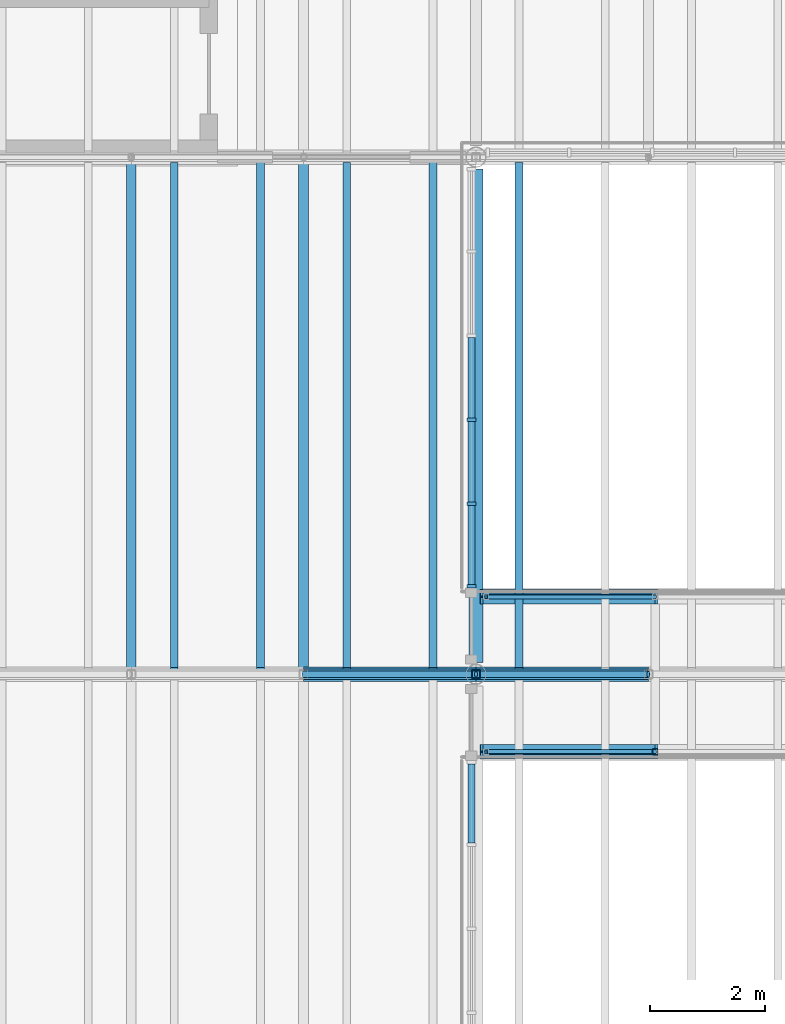
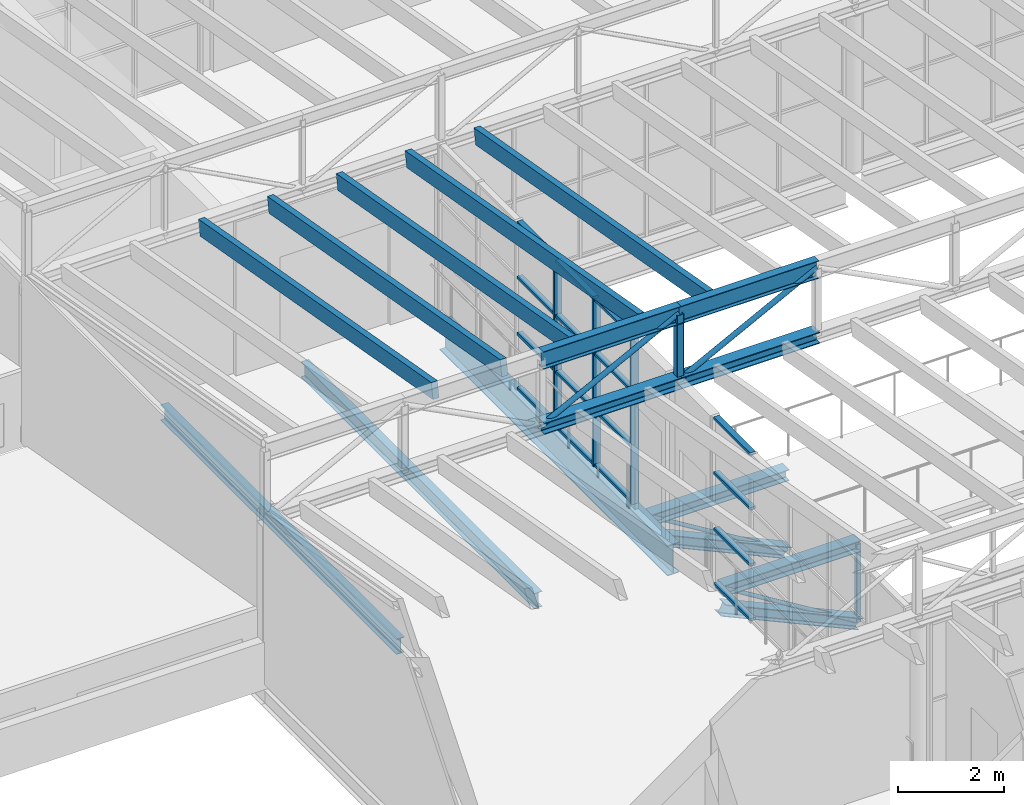
# One storey, part 12 of 44: 38 members, 3 beams, 2 elements without a shape of their own.
"""IFC4 building model written with IfcOpenShell, lengths in metres."""

from ifc_helpers import new_model, si_unit, direction, frame, origin, origin_2d, place, context, subcontext, project, spatial, rectangle, hollow_rectangle, hollow_circle, i_section, extrude, material, layer, layer_set, material_profile, profile_set, type_object, element, aggregate, save


model = new_model("IFC4")

# Units and contexts
model_context = context("Model", 3, precision=1e-05, world=origin(), true_north=direction((0.0, 1.0)))
body_context = subcontext(model_context, "Body", "Model", "MODEL_VIEW")
ifc_project = project(units=[si_unit("LENGTHUNIT", "METRE"), si_unit("AREAUNIT", "SQUARE_METRE"), si_unit("VOLUMEUNIT", "CUBIC_METRE"), si_unit("PLANEANGLEUNIT", "RADIAN"), si_unit("MASSUNIT", "GRAM", prefix="KILO")], contexts=[model_context])

# Site, building, storey
site_placement = place(None, origin())
site = spatial("IfcSite", under=ifc_project, at=site_placement, CompositionType="ELEMENT")
building_placement = place(site_placement, origin())
building = spatial("IfcBuilding", under=site, at=building_placement, Name="Halyard Row Museum", CompositionType="ELEMENT")
storey_placement = place(building_placement, frame((0.0, 0.0, 21.199951171875)))
storey = spatial("IfcBuildingStorey", under=building, at=storey_placement, Name="L04", CompositionType="ELEMENT", Elevation=21.199951171875)

# Beam
ifc_material_1 = material(Name="Steel Grade 300", Category="steel")
ifc_material_profile_1 = material_profile(ifc_material_1, i_section(OverallWidth=0.25, OverallDepth=0.699951171875, WebThickness=0.010009765625, FlangeThickness=0.02001953125, at=origin_2d()), Name="700WB130")
ifc_profile_set_1 = profile_set([ifc_material_profile_1], Name="Steel Grade 300")
beam_type_1 = type_object("IfcBeamType", Name="Bearing beam 700WB130", PredefinedType="BEAM", material=ifc_profile_set_1)
beam_1_placement = place(storey_placement, frame((81.0, 18.203125, -0.514892578125), z_axis=(0.0, 1.0, 0.0), x_axis=(-1.0, 0.0, 0.0)))
element("IfcBeam", 1, at=beam_1_placement, inside=storey, type_object=beam_type_1, Name="Beam L04-023", PredefinedType="BEAM", context=body_context, shape_type="SweptSolid", body=[
    extrude(i_section(OverallWidth=0.25, OverallDepth=0.699951171875, WebThickness=0.010009765625, FlangeThickness=0.02001953125, at=origin_2d()), origin(), (0.0, 0.0, 1.0), 8.59375),
])

# Curtain wall, members
ifc_material_2 = material(Name="Fire-resisting laminated glazing", Category="glass")
ifc_layer = layer(ifc_material_2, 0.159912109375)
ifc_layer_set = layer_set([ifc_layer], Name="Fire-resisting laminated glazing")
curtain_wall_type = type_object("IfcCurtainWallType", Name="Curtain wall atrium screen 160 deep", PredefinedType="NOTDEFINED", material=ifc_layer_set)
curtain_wall_1_placement = place(storey_placement, origin())
curtain_wall_1 = element("IfcCurtainWall", 2, at=curtain_wall_1_placement, inside=storey, type_object=curtain_wall_type, Name="Curtain wall CW108", PredefinedType="NOTDEFINED")
ifc_material_3 = material(Name="Powder-coated aluminium section", Category="aluminium")
ifc_material_profile_2 = material_profile(ifc_material_3, rectangle(XDim=0.159912109375, YDim=0.06005859375, at=origin_2d()), Name="160x60 mullion")
ifc_profile_set_2 = profile_set([ifc_material_profile_2], Name="Powder-coated aluminium section")
member_type_1 = type_object("IfcMemberType", Name="Curtain wall mullion CM5 60 x 160", PredefinedType="MULLION", material=ifc_profile_set_2)
member_1_placement = place(storey_placement, frame((80.919921875, 22.428955078125, 0.0), z_axis=(0.0, 0.0, 1.0), x_axis=(1.0, 0.0, 0.0)))
member_1 = element("IfcMember", 3, at=member_1_placement, type_object=member_type_1, Name="CW108 mullion 4", PredefinedType="MULLION", context=body_context, shape_type="SweptSolid", body=[
    extrude(rectangle(XDim=0.159912109375, YDim=0.06005859375, at=origin_2d()), origin(), (0.0, 0.0, 1.0), 3.878173828125),
])
member_2_placement = place(storey_placement, frame((80.919921875, 20.96435546875, 0.0), z_axis=(0.0, 0.0, 1.0), x_axis=(1.0, 0.0, 0.0)))
member_2 = element("IfcMember", 4, at=member_2_placement, type_object=member_type_1, Name="CW108 mullion 5", PredefinedType="MULLION", context=body_context, shape_type="SweptSolid", body=[
    extrude(rectangle(XDim=0.159912109375, YDim=0.06005859375, at=origin_2d()), origin(), (0.0, 0.0, 1.0), 3.878173828125),
])
member_3_placement = place(storey_placement, frame((80.919921875, 19.530029296875, 0.0), z_axis=(0.0, 0.0, 1.0), x_axis=(1.0, 0.0, 0.0)))
member_3 = element("IfcMember", 5, at=member_3_placement, type_object=member_type_1, Name="CW108 mullion 6", PredefinedType="MULLION", context=body_context, shape_type="SweptSolid", body=[
    extrude(rectangle(XDim=0.159912109375, YDim=0.06005859375, at=origin_2d()), origin(), (0.0, 0.0, 1.0), 3.878173828125),
])
ifc_material_4 = material(Name="Powder-coated aluminium section", Category="aluminium")
ifc_material_profile_3 = material_profile(ifc_material_4, rectangle(XDim=0.1201171875, YDim=0.06005859375, at=origin_2d()), Name="120x60 transom")
ifc_profile_set_3 = profile_set([ifc_material_profile_3], Name="Powder-coated aluminium section")
member_type_2 = type_object("IfcMemberType", Name="Curtain wall transom CT5 60 x 120", PredefinedType="USERDEFINED", material=ifc_profile_set_3)
member_4_placement = place(storey_placement, frame((80.919921875, 23.86328125, 0.030029296875), z_axis=(0.0, -1.0, 0.0), x_axis=(1.0, 0.0, 0.0)))
member_4 = element("IfcMember", 6, at=member_4_placement, type_object=member_type_2, Name="CW108 transom 3.1", ObjectType="TRANSOM", PredefinedType="USERDEFINED", context=body_context, shape_type="SweptSolid", body=[
    extrude(rectangle(XDim=0.1201171875, YDim=0.06005859375, at=origin_2d()), origin(), (0.0, 0.0, 1.0), 1.404296875),
])
member_5_placement = place(storey_placement, frame((80.919921875, 23.86328125, 1.292724609375), z_axis=(0.0, -1.0, 0.0), x_axis=(1.0, 0.0, 0.0)))
member_5 = element("IfcMember", 7, at=member_5_placement, type_object=member_type_2, Name="CW108 transom 3.2", ObjectType="TRANSOM", PredefinedType="USERDEFINED", context=body_context, shape_type="SweptSolid", body=[
    extrude(rectangle(XDim=0.1201171875, YDim=0.06005859375, at=origin_2d()), origin(), (0.0, 0.0, 1.0), 1.404296875),
])
member_6_placement = place(storey_placement, frame((80.919921875, 23.86328125, 2.58544921875), z_axis=(0.0, -1.0, 0.0), x_axis=(1.0, 0.0, 0.0)))
member_6 = element("IfcMember", 8, at=member_6_placement, type_object=member_type_2, Name="CW108 transom 3.3", ObjectType="TRANSOM", PredefinedType="USERDEFINED", context=body_context, shape_type="SweptSolid", body=[
    extrude(rectangle(XDim=0.1201171875, YDim=0.06005859375, at=origin_2d()), origin(), (0.0, 0.0, 1.0), 1.404296875),
])
member_7_placement = place(storey_placement, frame((80.919921875, 23.86328125, 3.84814453125), z_axis=(0.0, -1.0, 0.0), x_axis=(1.0, 0.0, 0.0)))
member_7 = element("IfcMember", 9, at=member_7_placement, type_object=member_type_2, Name="CW108 transom 3.4", ObjectType="TRANSOM", PredefinedType="USERDEFINED", context=body_context, shape_type="SweptSolid", body=[
    extrude(rectangle(XDim=0.1201171875, YDim=0.06005859375, at=origin_2d()), origin(), (0.0, 0.0, 1.0), 1.404296875),
])
member_8_placement = place(storey_placement, frame((80.919921875, 22.39892578125, 0.030029296875), z_axis=(0.0, -1.0, 0.0), x_axis=(1.0, 0.0, 0.0)))
member_8 = element("IfcMember", 10, at=member_8_placement, type_object=member_type_2, Name="CW108 transom 4.1", ObjectType="TRANSOM", PredefinedType="USERDEFINED", context=body_context, shape_type="SweptSolid", body=[
    extrude(rectangle(XDim=0.1201171875, YDim=0.06005859375, at=origin_2d()), origin(), (0.0, 0.0, 1.0), 1.404541015625),
])
member_9_placement = place(storey_placement, frame((80.919921875, 22.39892578125, 1.292724609375), z_axis=(0.0, -1.0, 0.0), x_axis=(1.0, 0.0, 0.0)))
member_9 = element("IfcMember", 11, at=member_9_placement, type_object=member_type_2, Name="CW108 transom 4.2", ObjectType="TRANSOM", PredefinedType="USERDEFINED", context=body_context, shape_type="SweptSolid", body=[
    extrude(rectangle(XDim=0.1201171875, YDim=0.06005859375, at=origin_2d()), origin(), (0.0, 0.0, 1.0), 1.404541015625),
])
member_10_placement = place(storey_placement, frame((80.919921875, 22.39892578125, 2.58544921875), z_axis=(0.0, -1.0, 0.0), x_axis=(1.0, 0.0, 0.0)))
member_10 = element("IfcMember", 12, at=member_10_placement, type_object=member_type_2, Name="CW108 transom 4.3", ObjectType="TRANSOM", PredefinedType="USERDEFINED", context=body_context, shape_type="SweptSolid", body=[
    extrude(rectangle(XDim=0.1201171875, YDim=0.06005859375, at=origin_2d()), origin(), (0.0, 0.0, 1.0), 1.404541015625),
])
member_11_placement = place(storey_placement, frame((80.919921875, 22.39892578125, 3.84814453125), z_axis=(0.0, -1.0, 0.0), x_axis=(1.0, 0.0, 0.0)))
member_11 = element("IfcMember", 13, at=member_11_placement, type_object=member_type_2, Name="CW108 transom 4.4", ObjectType="TRANSOM", PredefinedType="USERDEFINED", context=body_context, shape_type="SweptSolid", body=[
    extrude(rectangle(XDim=0.1201171875, YDim=0.06005859375, at=origin_2d()), origin(), (0.0, 0.0, 1.0), 1.404541015625),
])
member_12_placement = place(storey_placement, frame((80.919921875, 20.934326171875, 0.030029296875), z_axis=(0.0, -1.0, 0.0), x_axis=(1.0, 0.0, 0.0)))
member_12 = element("IfcMember", 14, at=member_12_placement, type_object=member_type_2, Name="CW108 transom 5.1", ObjectType="TRANSOM", PredefinedType="USERDEFINED", context=body_context, shape_type="SweptSolid", body=[
    extrude(rectangle(XDim=0.1201171875, YDim=0.06005859375, at=origin_2d()), origin(), (0.0, 0.0, 1.0), 1.374267578125),
])
member_13_placement = place(storey_placement, frame((80.919921875, 20.934326171875, 1.292724609375), z_axis=(0.0, -1.0, 0.0), x_axis=(1.0, 0.0, 0.0)))
member_13 = element("IfcMember", 15, at=member_13_placement, type_object=member_type_2, Name="CW108 transom 5.2", ObjectType="TRANSOM", PredefinedType="USERDEFINED", context=body_context, shape_type="SweptSolid", body=[
    extrude(rectangle(XDim=0.1201171875, YDim=0.06005859375, at=origin_2d()), origin(), (0.0, 0.0, 1.0), 1.374267578125),
])
member_14_placement = place(storey_placement, frame((80.919921875, 20.934326171875, 2.58544921875), z_axis=(0.0, -1.0, 0.0), x_axis=(1.0, 0.0, 0.0)))
member_14 = element("IfcMember", 16, at=member_14_placement, type_object=member_type_2, Name="CW108 transom 5.3", ObjectType="TRANSOM", PredefinedType="USERDEFINED", context=body_context, shape_type="SweptSolid", body=[
    extrude(rectangle(XDim=0.1201171875, YDim=0.06005859375, at=origin_2d()), origin(), (0.0, 0.0, 1.0), 1.374267578125),
])
member_15_placement = place(storey_placement, frame((80.919921875, 20.934326171875, 3.84814453125), z_axis=(0.0, -1.0, 0.0), x_axis=(1.0, 0.0, 0.0)))
member_15 = element("IfcMember", 17, at=member_15_placement, type_object=member_type_2, Name="CW108 transom 5.4", ObjectType="TRANSOM", PredefinedType="USERDEFINED", context=body_context, shape_type="SweptSolid", body=[
    extrude(rectangle(XDim=0.1201171875, YDim=0.06005859375, at=origin_2d()), origin(), (0.0, 0.0, 1.0), 1.374267578125),
])
aggregate(curtain_wall_1, [member_1, member_2, member_3, member_4, member_5, member_6, member_7, member_8, member_9, member_10, member_11, member_12, member_13, member_14, member_15])

curtain_wall_2_placement = place(storey_placement, origin())
curtain_wall_2 = element("IfcCurtainWall", 18, at=curtain_wall_2_placement, inside=storey, type_object=curtain_wall_type, Name="Curtain wall CW109", PredefinedType="NOTDEFINED")
member_16_placement = place(storey_placement, frame((80.919921875, 16.43994140625, 0.030029296875), z_axis=(0.0, -1.0, 0.0), x_axis=(1.0, 0.0, 0.0)))
member_16 = element("IfcMember", 19, at=member_16_placement, type_object=member_type_2, Name="CW109 transom 1.1", ObjectType="TRANSOM", PredefinedType="USERDEFINED", context=body_context, shape_type="SweptSolid", body=[
    extrude(rectangle(XDim=0.1201171875, YDim=0.06005859375, at=origin_2d()), origin(), (0.0, 0.0, 1.0), 1.374267578125),
])
member_17_placement = place(storey_placement, frame((80.919921875, 16.43994140625, 1.292724609375), z_axis=(0.0, -1.0, 0.0), x_axis=(1.0, 0.0, 0.0)))
member_17 = element("IfcMember", 20, at=member_17_placement, type_object=member_type_2, Name="CW109 transom 1.2", ObjectType="TRANSOM", PredefinedType="USERDEFINED", context=body_context, shape_type="SweptSolid", body=[
    extrude(rectangle(XDim=0.1201171875, YDim=0.06005859375, at=origin_2d()), origin(), (0.0, 0.0, 1.0), 1.374267578125),
])
member_18_placement = place(storey_placement, frame((80.919921875, 16.43994140625, 2.58544921875), z_axis=(0.0, -1.0, 0.0), x_axis=(1.0, 0.0, 0.0)))
member_18 = element("IfcMember", 21, at=member_18_placement, type_object=member_type_2, Name="CW109 transom 1.3", ObjectType="TRANSOM", PredefinedType="USERDEFINED", context=body_context, shape_type="SweptSolid", body=[
    extrude(rectangle(XDim=0.1201171875, YDim=0.06005859375, at=origin_2d()), origin(), (0.0, 0.0, 1.0), 1.374267578125),
])
member_19_placement = place(storey_placement, frame((80.919921875, 16.43994140625, 3.84814453125), z_axis=(0.0, -1.0, 0.0), x_axis=(1.0, 0.0, 0.0)))
member_19 = element("IfcMember", 22, at=member_19_placement, type_object=member_type_2, Name="CW109 transom 1.4", ObjectType="TRANSOM", PredefinedType="USERDEFINED", context=body_context, shape_type="SweptSolid", body=[
    extrude(rectangle(XDim=0.1201171875, YDim=0.06005859375, at=origin_2d()), origin(), (0.0, 0.0, 1.0), 1.374267578125),
])
aggregate(curtain_wall_2, [member_16, member_17, member_18, member_19])

# Members
ifc_material_5 = material(Name="Glulam GL12 radiata pine", Category="wood")
ifc_material_profile_4 = material_profile(ifc_material_5, rectangle(XDim=0.135009765625, YDim=0.360107421875, at=origin_2d()), Name="GL12 135x360")
ifc_profile_set_4 = profile_set([ifc_material_profile_4], Name="Glulam GL12 radiata pine")
member_type_3 = type_object("IfcMemberType", Name="Rafter GL12 135x360", PredefinedType="RAFTER", material=ifc_profile_set_4)
for number, where, z_axis, x_axis, name in (
    (23, (75.75, 18.089111328125, 5.281494140625), (0.0, 0.98455904933, -0.175052787419), (-1.0, 0.0, 0.0), "Rafter V2-T3a.3"),
    (24, (77.25, 18.089111328125, 5.281494140625), (0.0, 0.98455904933, -0.175052787419), (-1.0, 0.0, 0.0), "Rafter V2-T3a.4"),
    (25, (78.75, 18.089111328125, 5.281494140625), (0.0, 0.98455904933, -0.175052787419), (-1.0, 0.0, 0.0), "Rafter V2-T3a.5"),
    (26, (80.25, 18.089111328125, 5.281494140625), (0.0, 0.98455904933, -0.175052787419), (-1.0, 0.0, 0.0), "Rafter V2-T3a.6"),
    (27, (81.75, 18.089111328125, 5.281494140625), (0.0, 0.98455904933, -0.175052787419), (-1.0, 0.0, 0.0), "Rafter V2-T3b.1"),
):
    element("IfcMember", number, at=place(storey_placement, frame(where, z_axis=z_axis, x_axis=x_axis)), inside=storey, type_object=member_type_3, Name=name, PredefinedType="RAFTER", context=body_context, shape_type="SweptSolid", body=[
        extrude(rectangle(XDim=0.135009765625, YDim=0.360107421875, at=origin_2d()), origin(), (0.0, 0.0, 1.0), 8.921630859375),
    ])

# Beams
ifc_material_6 = material(Name="Steel Grade 300", Category="steel")
ifc_material_profile_5 = material_profile(ifc_material_6, i_section(OverallWidth=0.1708984375, OverallDepth=0.355712890625, WebThickness=0.00732421875, FlangeThickness=0.011474609375, FilletRadius=0.011474609375, at=origin_2d()), Name="360UB50.7")
ifc_profile_set_5 = profile_set([ifc_material_profile_5], Name="Steel Grade 300")
beam_type_2 = type_object("IfcBeamType", Name="Secondary beam 360UB50.7", PredefinedType="BEAM", material=ifc_profile_set_5)
beam_2_placement = place(storey_placement, frame((75.0, 18.095458984375, -0.3427734375), z_axis=(0.0, 1.0, 0.0), x_axis=(-1.0, 0.0, 0.0)))
element("IfcBeam", 28, at=beam_2_placement, inside=storey, type_object=beam_type_2, Name="Beam L04-043", PredefinedType="BEAM", context=body_context, shape_type="SweptSolid", body=[
    extrude(i_section(OverallWidth=0.1708984375, OverallDepth=0.355712890625, WebThickness=0.00732421875, FlangeThickness=0.011474609375, FilletRadius=0.011474609375, at=origin_2d()), origin(), (0.0, 0.0, 1.0), 8.904541015625),
])
beam_3_placement = place(storey_placement, frame((78.0, 18.095458984375, -0.3427734375), z_axis=(0.0, 1.0, 0.0), x_axis=(-1.0, 0.0, 0.0)))
element("IfcBeam", 29, at=beam_3_placement, inside=storey, type_object=beam_type_2, Name="Beam L04-044", PredefinedType="BEAM", context=body_context, shape_type="SweptSolid", body=[
    extrude(i_section(OverallWidth=0.1708984375, OverallDepth=0.355712890625, WebThickness=0.00732421875, FlangeThickness=0.011474609375, FilletRadius=0.011474609375, at=origin_2d()), origin(), (0.0, 0.0, 1.0), 8.80908203125),
])

# Members
ifc_material_7 = material(Name="Steel Grade 300", Category="steel")
ifc_material_profile_6 = material_profile(ifc_material_7, i_section(OverallWidth=0.25390625, OverallDepth=0.25390625, WebThickness=0.008544921875, FlangeThickness=0.01416015625, FilletRadius=0.013916015625, at=origin_2d()), Name="250UC72.9")
ifc_profile_set_6 = profile_set([ifc_material_profile_6], Name="Steel Grade 300")
member_type_4 = type_object("IfcMemberType", Name="Truss chord 250UC72.9 bottom", PredefinedType="CHORD", material=ifc_profile_set_6)
for number, where, z_axis, x_axis, name in (
    (30, (81.125, 16.64990234375, -0.72802734375), (0.909918381768, 0.0, -0.414787341322), (0.0, 1.0, 0.0), "BT2S bottom chord 1"),
    (31, (81.125, 19.35009765625, -0.72802734375), (0.909918381768, 0.0, -0.414787341322), (0.0, 1.0, 0.0), "BT2N bottom chord 1"),
):
    element("IfcMember", number, at=place(storey_placement, frame(where, z_axis=z_axis, x_axis=x_axis)), inside=storey, type_object=member_type_4, Name=name, PredefinedType="CHORD", context=body_context, shape_type="SweptSolid", body=[
        extrude(i_section(OverallWidth=0.25390625, OverallDepth=0.25390625, WebThickness=0.008544921875, FlangeThickness=0.01416015625, FilletRadius=0.013916015625, at=origin_2d()), origin(), (0.0, 0.0, 1.0), 3.287841796875),
    ])
ifc_material_8 = material(Name="Steel Grade 300", Category="steel")
ifc_material_profile_7 = material_profile(ifc_material_8, i_section(OverallWidth=0.25390625, OverallDepth=0.25390625, WebThickness=0.008544921875, FlangeThickness=0.01416015625, FilletRadius=0.013916015625, at=origin_2d()), Name="250UC72.9")
ifc_profile_set_7 = profile_set([ifc_material_profile_7], Name="Steel Grade 300")
member_type_5 = type_object("IfcMemberType", Name="Truss chord 250UC72.9 top", PredefinedType="CHORD", material=ifc_profile_set_7)
for number, where, z_axis, x_axis, name in (
    (32, (81.125, 16.64990234375, -0.291748046875), (1.0, 0.0, 0.0), (0.0, 1.0, 0.0), "BT2S top chord 1"),
    (33, (81.125, 19.35009765625, -0.291748046875), (1.0, 0.0, 0.0), (0.0, 1.0, 0.0), "BT2N top chord 1"),
):
    element("IfcMember", number, at=place(storey_placement, frame(where, z_axis=z_axis, x_axis=x_axis)), inside=storey, type_object=member_type_5, Name=name, PredefinedType="CHORD", context=body_context, shape_type="SweptSolid", body=[
        extrude(i_section(OverallWidth=0.25390625, OverallDepth=0.25390625, WebThickness=0.008544921875, FlangeThickness=0.01416015625, FilletRadius=0.013916015625, at=origin_2d()), origin(), (0.0, 0.0, 1.0), 2.99169921875),
    ])
ifc_material_9 = material(Name="Steel Grade C250L0", Category="steel")
ifc_material_profile_8 = material_profile(ifc_material_9, hollow_circle(Radius=0.04443359375, WallThickness=0.0048828125, at=origin_2d()), Name="88.9x5.0CHS")
ifc_profile_set_8 = profile_set([ifc_material_profile_8], Name="Steel Grade C250L0")
member_type_6 = type_object("IfcMemberType", Name="Truss diagonal 88.9x5.0CHS", PredefinedType="BRACE", material=ifc_profile_set_8)
for number, where, z_axis, x_axis, name in (
    (34, (81.175048828125, 16.64990234375, -0.291748046875), (0.852975450501, 0.0, -0.521951032994), (0.0, 1.0, 0.0), "BT2S diagonal 1"),
    (35, (81.175048828125, 19.35009765625, -0.291748046875), (0.852975450501, 0.0, -0.521951032994), (0.0, 1.0, 0.0), "BT2N diagonal 1"),
):
    element("IfcMember", number, at=place(storey_placement, frame(where, z_axis=z_axis, x_axis=x_axis)), inside=storey, type_object=member_type_6, Name=name, PredefinedType="BRACE", context=body_context, shape_type="SweptSolid", body=[
        extrude(hollow_circle(Radius=0.04443359375, WallThickness=0.0048828125, at=origin_2d()), origin(), (0.0, 0.0, 1.0), 3.44873046875),
    ])
ifc_material_10 = material(Name="Steel Grade C350L0", Category="steel")
ifc_material_profile_9 = material_profile(ifc_material_10, hollow_rectangle(XDim=0.10009765625, YDim=0.10009765625, WallThickness=0.006103515625, InnerFilletRadius=0.009033203125, OuterFilletRadius=0.014892578125, at=origin_2d()), Name="100x100x6.0SHS")
ifc_profile_set_9 = profile_set([ifc_material_profile_9], Name="Steel Grade C350L0")
member_type_7 = type_object("IfcMemberType", Name="Truss post 100x100x6.0SHS", PredefinedType="POST", material=ifc_profile_set_9)
member_20_placement = place(storey_placement, frame((84.11669921875, 16.64990234375, -2.091796875), z_axis=(0.0, 0.0, 1.0), x_axis=(1.0, 0.0, 0.0)))
element("IfcMember", 36, at=member_20_placement, inside=storey, type_object=member_type_7, Name="BT2S post 2", PredefinedType="POST", context=body_context, shape_type="SweptSolid", body=[
    extrude(hollow_rectangle(XDim=0.10009765625, YDim=0.10009765625, WallThickness=0.006103515625, InnerFilletRadius=0.009033203125, OuterFilletRadius=0.014892578125, at=origin_2d()), origin(), (0.0, 0.0, 1.0), 1.800048828125),
])
ifc_material_11 = material(Name="Steel Grade 300", Category="steel")
ifc_material_profile_10 = material_profile(ifc_material_11, i_section(OverallWidth=0.256103515625, OverallDepth=0.260009765625, WebThickness=0.010498046875, FlangeThickness=0.017333984375, FilletRadius=0.013916015625, at=origin_2d()), Name="250UC89.5")
ifc_profile_set_10 = profile_set([ifc_material_profile_10], Name="Steel Grade 300")
member_type_8 = type_object("IfcMemberType", Name="Valley truss bottom chord 250UC89.5", PredefinedType="CHORD", material=ifc_profile_set_10)
for number, where, z_axis, x_axis, name in (
    (37, (78.0, 18.0, 3.72998046875), (1.0, 0.0, 0.0), (0.0, 1.0, 0.0), "V2-VT3 bottom chord 1.3"),
    (38, (81.0, 18.0, 3.72998046875), (1.0, 0.0, 0.0), (0.0, 1.0, 0.0), "V2-VT3 bottom chord 2.1"),
):
    element("IfcMember", number, at=place(storey_placement, frame(where, z_axis=z_axis, x_axis=x_axis)), inside=storey, type_object=member_type_8, Name=name, PredefinedType="CHORD", context=body_context, shape_type="SweptSolid", body=[
        extrude(i_section(OverallWidth=0.256103515625, OverallDepth=0.260009765625, WebThickness=0.010498046875, FlangeThickness=0.017333984375, FilletRadius=0.013916015625, at=origin_2d()), origin(), (0.0, 0.0, 1.0), 3.0),
    ])
ifc_material_12 = material(Name="Steel Grade C250L0", Category="steel")
ifc_material_profile_11 = material_profile(ifc_material_12, hollow_circle(Radius=0.05712890625, WallThickness=0.00537109375, at=origin_2d()), Name="114.3x5.4CHS")
ifc_profile_set_11 = profile_set([ifc_material_profile_11], Name="Steel Grade C250L0")
member_type_9 = type_object("IfcMemberType", Name="Valley truss diagonal 114.3x5.4CHS", PredefinedType="BRACE", material=ifc_profile_set_11)
for number, where, z_axis, x_axis, name in (
    (39, (78.0, 18.0, 3.72998046875), (0.888803167408, 0.0, 0.458289133195), (0.0, 1.0, 0.0), "V2-VT3 diagonal 1.3"),
    (40, (81.0, 18.0, 3.72998046875), (0.888803167408, 0.0, 0.458289133195), (0.0, 1.0, 0.0), "V2-VT3 diagonal 2.1"),
):
    element("IfcMember", number, at=place(storey_placement, frame(where, z_axis=z_axis, x_axis=x_axis)), inside=storey, type_object=member_type_9, Name=name, PredefinedType="BRACE", context=body_context, shape_type="SweptSolid", body=[
        extrude(hollow_circle(Radius=0.05712890625, WallThickness=0.00537109375, at=origin_2d()), origin(), (0.0, 0.0, 1.0), 3.375244140625),
    ])
ifc_material_13 = material(Name="Steel Grade C350L0", Category="steel")
ifc_material_profile_12 = material_profile(ifc_material_13, hollow_rectangle(XDim=0.14990234375, YDim=0.14990234375, WallThickness=0.006103515625, InnerFilletRadius=0.009033203125, OuterFilletRadius=0.014892578125, at=origin_2d()), Name="150x150x6.0SHS")
ifc_profile_set_12 = profile_set([ifc_material_profile_12], Name="Steel Grade C350L0")
member_type_10 = type_object("IfcMemberType", Name="Valley truss post 150x150x6.0SHS", PredefinedType="POST", material=ifc_profile_set_12)
member_21_placement = place(storey_placement, frame((81.0, 18.0, 3.72998046875), z_axis=(0.0, 0.0, 1.0), x_axis=(1.0, 0.0, 0.0)))
element("IfcMember", 41, at=member_21_placement, inside=storey, type_object=member_type_10, Name="V2-VT3 post 1.3", PredefinedType="POST", context=body_context, shape_type="SweptSolid", body=[
    extrude(hollow_rectangle(XDim=0.14990234375, YDim=0.14990234375, WallThickness=0.006103515625, InnerFilletRadius=0.009033203125, OuterFilletRadius=0.014892578125, at=origin_2d()), origin(), (0.0, 0.0, 1.0), 1.546875),
])
ifc_material_14 = material(Name="Steel Grade 300", Category="steel")
ifc_material_profile_13 = material_profile(ifc_material_14, i_section(OverallWidth=0.177978515625, OverallDepth=0.406494140625, WebThickness=0.0078125, FlangeThickness=0.0126953125, FilletRadius=0.011474609375, at=origin_2d()), Name="410UB59.7")
ifc_profile_set_13 = profile_set([ifc_material_profile_13], Name="Steel Grade 300")
member_type_11 = type_object("IfcMemberType", Name="Valley truss top chord 410UB59.7", PredefinedType="CHORD", material=ifc_profile_set_13)
for number, where, z_axis, x_axis, name in (
    (42, (78.0, 18.0, 5.27685546875), (1.0, 0.0, 0.0), (0.0, 1.0, 0.0), "V2-VT3 top chord 1.3"),
    (43, (81.0, 18.0, 5.27685546875), (1.0, 0.0, 0.0), (0.0, 1.0, 0.0), "V2-VT3 top chord 2.1"),
):
    element("IfcMember", number, at=place(storey_placement, frame(where, z_axis=z_axis, x_axis=x_axis)), inside=storey, type_object=member_type_11, Name=name, PredefinedType="CHORD", context=body_context, shape_type="SweptSolid", body=[
        extrude(i_section(OverallWidth=0.177978515625, OverallDepth=0.406494140625, WebThickness=0.0078125, FlangeThickness=0.0126953125, FilletRadius=0.011474609375, at=origin_2d()), origin(), (0.0, 0.0, 1.0), 3.0),
    ])

save(model, "model.ifc")
